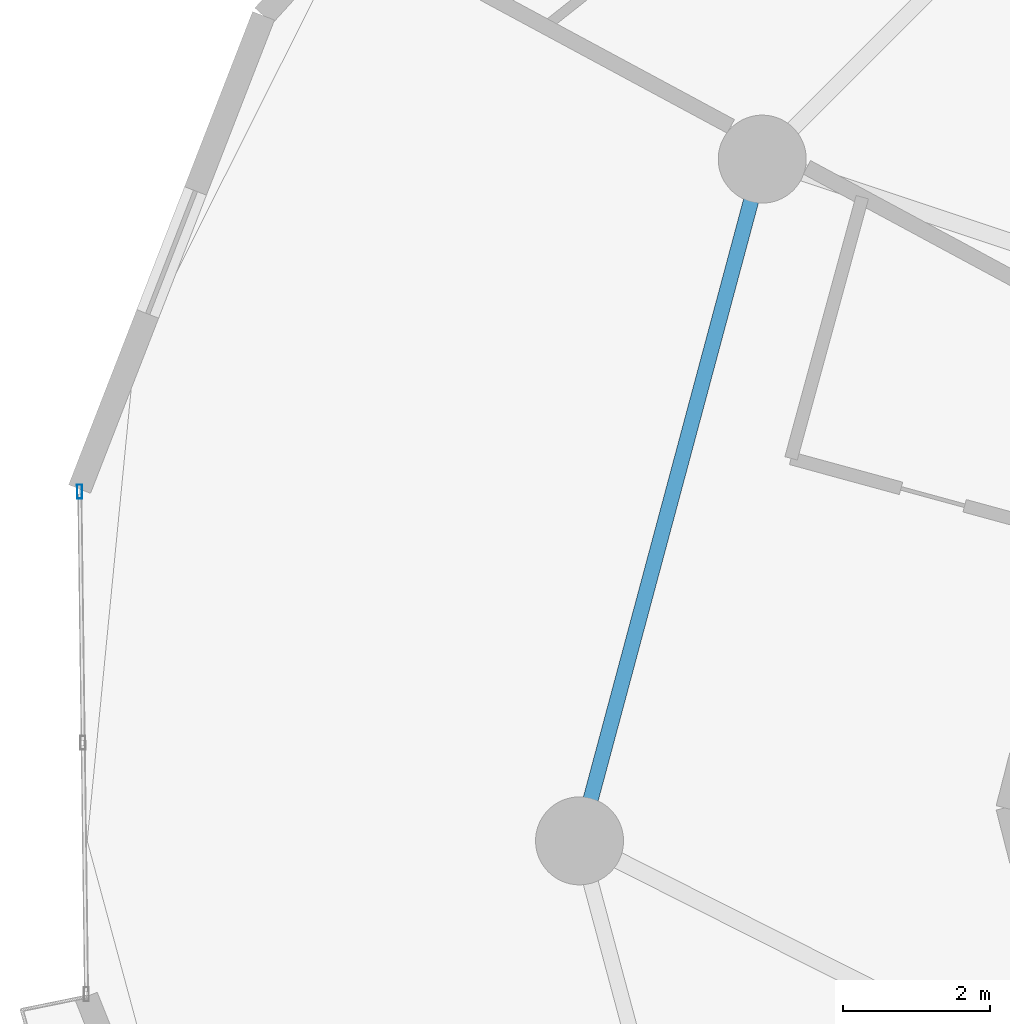
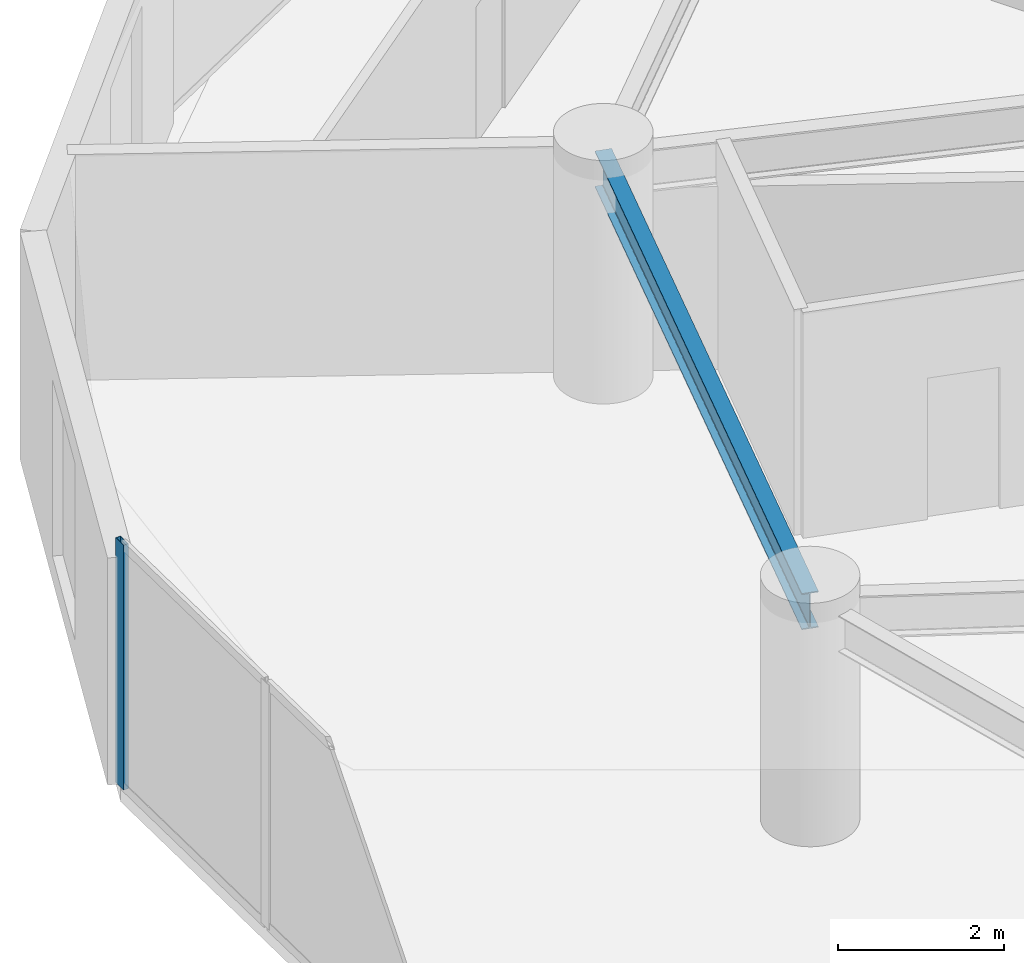
# One storey, part 6 of 23: 1 beam, 1 member, 1 element without a shape of its own.
"""IFC4 building model written with IfcOpenShell, lengths in metres."""

from ifc_helpers import new_model, si_unit, direction, frame, origin, origin_2d, place, context, subcontext, project, spatial, hollow_rectangle, i_section, extrude, source, transform, mapped, material, layer, layer_set, material_profile, profile_set, type_object, element, aggregate, save


model = new_model("IFC4")

# Units and contexts
model_context = context("Model", 3, precision=1e-05, world=origin(), true_north=direction((0.0, 1.0)))
body_context = subcontext(model_context, "Body", "Model", "MODEL_VIEW")
ifc_project = project(units=[si_unit("LENGTHUNIT", "METRE"), si_unit("AREAUNIT", "SQUARE_METRE"), si_unit("VOLUMEUNIT", "CUBIC_METRE"), si_unit("PLANEANGLEUNIT", "RADIAN"), si_unit("MASSUNIT", "GRAM", prefix="KILO")], contexts=[model_context])

# Site, building, storey
site_placement = place(None, origin())
site = spatial("IfcSite", under=ifc_project, at=site_placement, CompositionType="ELEMENT")
building_placement = place(site_placement, origin())
building = spatial("IfcBuilding", under=site, at=building_placement, Name="Solvirekh Grand Hotel", CompositionType="ELEMENT")
storey_placement = place(building_placement, frame((0.0, 0.0, 46.39990234375)))
storey = spatial("IfcBuildingStorey", under=building, at=storey_placement, Name="L10", CompositionType="ELEMENT", Elevation=46.39990234375)

# Beam
ifc_material_1 = material(Name="Steel S355", Category="steel")
ifc_material_profile_1 = material_profile(ifc_material_1, i_section(OverallWidth=0.208984375, OverallDepth=0.532958984375, WebThickness=0.010009765625, FlangeThickness=0.014892578125, FilletRadius=0.013916015625, at=origin_2d()), Name="W530X92")
ifc_profile_set_1 = profile_set([ifc_material_profile_1], Name="Steel S355")
beam_type = type_object("IfcBeamType", Name="Spandrel_Ring_W530", PredefinedType="SPANDREL", material=ifc_profile_set_1)
beam_placement = place(storey_placement, frame((-16.10791015625, 9.300048828125, 3.07421875), z_axis=(-0.258842973314, -0.965919414426, 0.0), x_axis=(0.965919414426, -0.258842973314, 0.0)))
element("IfcBeam", 1, at=beam_placement, inside=storey, type_object=beam_type, Name="L10 perimeter spandrel beam 6", PredefinedType="SPANDREL", context=body_context, shape_type="SweptSolid", body=[
    extrude(i_section(OverallWidth=0.208984375, OverallDepth=0.532958984375, WebThickness=0.010009765625, FlangeThickness=0.014892578125, FilletRadius=0.013916015625, at=origin_2d()), origin(), (0.0, 0.0, 1.0), 9.628173828125),
])

# Curtain wall, member
ifc_material_2 = material(Name="Anodized Bronze Aluminium 6063-T6", Category="aluminium")
ifc_layer = layer(ifc_material_2, 0.18994140625)
ifc_layer_set = layer_set([ifc_layer], Name="Anodized Bronze Aluminium 6063-T6")
curtain_wall_type = type_object("IfcCurtainWallType", Name="CW_Sys2_LowZoneFlushBronzeCW", PredefinedType="NOTDEFINED", material=ifc_layer_set)
curtain_wall_placement = place(storey_placement, origin())
curtain_wall = element("IfcCurtainWall", 2, at=curtain_wall_placement, inside=storey, type_object=curtain_wall_type, Name="L10 unitised bronze-glass curtain wall CW-L10-C11", PredefinedType="NOTDEFINED")
ifc_material_profile_2 = material_profile(ifc_material_2, hollow_rectangle(XDim=0.070068359375, YDim=0.18994140625, WallThickness=0.0048828125, at=origin_2d()), Name="ALU RHS 190X70X5")
ifc_profile_set_2 = profile_set([ifc_material_profile_2], Name="Anodized Bronze Aluminium 6063-T6")
member_type = type_object("IfcMemberType", Name="CWMullion_Sys2", PredefinedType="MULLION", material=ifc_profile_set_2)
shared_shape = source(origin(), body_context, "Body", "SweptSolid", [
    extrude(hollow_rectangle(XDim=0.070068359375, YDim=0.18994140625, WallThickness=0.0048828125, at=origin_2d()), origin(), (0.0, 0.0, 1.0), 3.60009765625),
])
member_placement = place(storey_placement, frame((-25.41943359375, 4.764892578125, 0.0), z_axis=(0.0, 0.0, 1.0), x_axis=(0.99991176343, 0.013284026319, 0.0)))
member = element("IfcMember", 3, at=member_placement, type_object=member_type, Name="U02 mullion 1", PredefinedType="MULLION", context=body_context, shape_type="MappedRepresentation", body=[
    mapped(shared_shape, transform((0.0, 0.0, 0.0), x_axis=(1.0, 0.0, 0.0), y_axis=(0.0, 1.0, 0.0), z_axis=(0.0, 0.0, 1.0), scale=1.0)),
])
aggregate(curtain_wall, [member])

save(model, "model.ifc")
